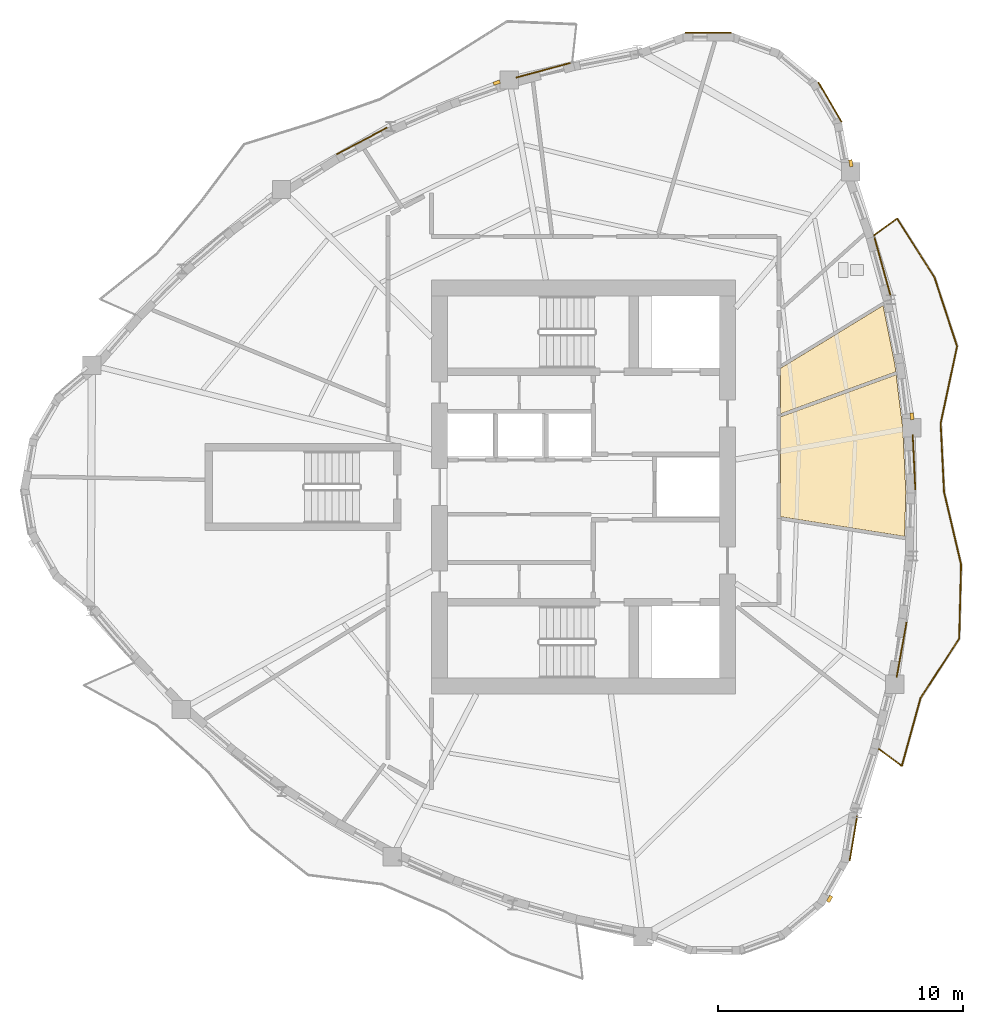
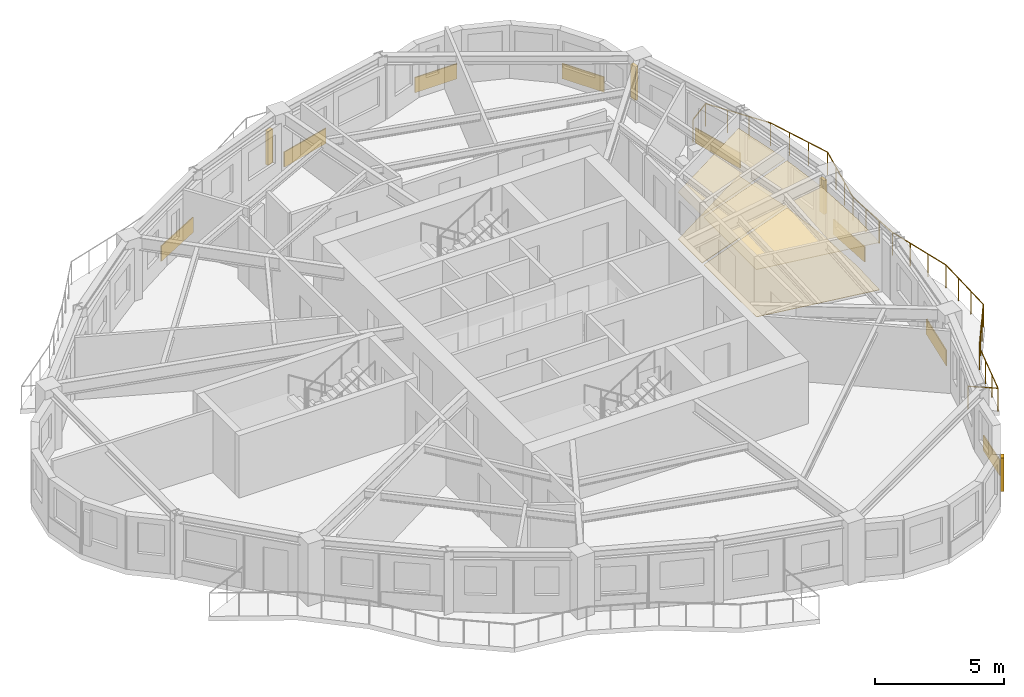
# One storey, part 11 of 12: 12 coverings, 4 shading devices, 1 railing.
"""IFC4 building model written with IfcOpenShell, lengths in metres."""

from ifc_helpers import new_model, si_unit, direction, frame, origin, origin_2d, place, context, subcontext, project, spatial, polyline, rectangle, circle, outline, extrude, source, transform, mapped, material, layer, layer_set, type_object, element, save


model = new_model("IFC4")

# Units and contexts
model_context = context("Model", 3, precision=1e-05, world=origin(), true_north=direction((0.0, 1.0)))
body_context = subcontext(model_context, "Body", "Model", "MODEL_VIEW")
ifc_project = project(units=[si_unit("LENGTHUNIT", "METRE"), si_unit("AREAUNIT", "SQUARE_METRE"), si_unit("VOLUMEUNIT", "CUBIC_METRE"), si_unit("PLANEANGLEUNIT", "RADIAN"), si_unit("MASSUNIT", "GRAM", prefix="KILO")], contexts=[model_context])

# Site, building, storey
site_placement = place(None, origin())
site = spatial("IfcSite", under=ifc_project, at=site_placement, CompositionType="ELEMENT")
building_placement = place(site_placement, origin())
building = spatial("IfcBuilding", under=site, at=building_placement, Name="Qafzar Sky-Pleat Residences", CompositionType="ELEMENT")
storey_placement = place(building_placement, frame((0.0, 0.0, 171.39990234375)))
storey = spatial("IfcBuildingStorey", under=building, at=storey_placement, Name="L51", CompositionType="ELEMENT", Elevation=171.39990234375)

# Coverings
ifc_material_1 = material(Name="Perforated acoustic gypsum board ceiling")
ifc_layer_1 = layer(ifc_material_1, 0.02001953125)
ifc_layer_set_1 = layer_set([ifc_layer_1], Name="Perforated acoustic gypsum board ceiling")
covering_type_1 = type_object("IfcCoveringType", Name="COV-CEIL-ACOUSTIC", PredefinedType="CEILING", material=ifc_layer_set_1)
covering_1_placement = place(storey_placement, frame((0.0, 0.0, 2.239990234375)))
element("IfcCovering", 1, at=covering_1_placement, inside=storey, type_object=covering_type_1, Name="L51 Co-Living Lounge Acoustic Ceiling", PredefinedType="CEILING", context=body_context, shape_type="SweptSolid", body=[
    extrude(outline(polyline([(43.374755859375, 28.387939453125), (43.498291015625, 25.801025390625), (43.44677734375, 23.98486328125), (38.389892578125, 24.786376953125), (38.389892578125, 28.863037109375), (43.103271484375, 30.578857421875), (43.374755859375, 28.387939453125)])), origin(), (0.0, 0.0, 1.0), 0.02001953125),
])
covering_2_placement = place(storey_placement, frame((0.0, 0.0, 2.239990234375)))
element("IfcCovering", 2, at=covering_2_placement, inside=storey, type_object=covering_type_1, Name="L51 Scholar Study Room Acoustic Ceiling", PredefinedType="CEILING", context=body_context, shape_type="SweptSolid", body=[
    extrude(outline(polyline([(43.054443359375, 30.973388671875), (43.088134765625, 30.701171875), (38.389892578125, 28.99072265625), (38.389892578125, 30.847412109375), (42.568359375, 33.4033203125), (43.054443359375, 30.973388671875)])), origin(), (0.0, 0.0, 1.0), 0.02001953125),
])
ifc_material_2 = material(Name="Honed porcelain and Riyadh stone tile flooring", Category="masonry")
ifc_layer_2 = layer(ifc_material_2, 0.02001953125)
ifc_layer_set_2 = layer_set([ifc_layer_2], Name="Honed porcelain and Riyadh stone tile flooring")
covering_type_2 = type_object("IfcCoveringType", Name="COV-FLR-PORCELAIN", PredefinedType="FLOORING", material=ifc_layer_set_2)
covering_3_placement = place(storey_placement, origin())
element("IfcCovering", 3, at=covering_3_placement, inside=storey, type_object=covering_type_2, Name="L51 Co-Living Lounge Honed Stone Flooring", PredefinedType="FLOORING", context=body_context, shape_type="SweptSolid", body=[
    extrude(outline(polyline([(43.374755859375, 28.387939453125), (43.498291015625, 25.801025390625), (43.44677734375, 23.98486328125), (38.389892578125, 24.786376953125), (38.389892578125, 28.863037109375), (43.103271484375, 30.578857421875), (43.374755859375, 28.387939453125)])), origin(), (0.0, 0.0, 1.0), 0.02001953125),
])
covering_4_placement = place(storey_placement, origin())
element("IfcCovering", 4, at=covering_4_placement, inside=storey, type_object=covering_type_2, Name="L51 Scholar Study Room Honed Stone Flooring", PredefinedType="FLOORING", context=body_context, shape_type="SweptSolid", body=[
    extrude(outline(polyline([(43.054443359375, 30.973388671875), (43.088134765625, 30.701171875), (38.389892578125, 28.99072265625), (38.389892578125, 30.847412109375), (42.568359375, 33.4033203125), (43.054443359375, 30.973388671875)])), origin(), (0.0, 0.0, 1.0), 0.02001953125),
])

# Shading devices
ifc_material_3 = material(Name="Honed Riyadh limestone solar fin", Category="masonry")
ifc_layer_3 = layer(ifc_material_3, 0.139892578125)
ifc_layer_set_3 = layer_set([ifc_layer_3], Name="Honed Riyadh limestone solar fin")
shading_device_type = type_object("IfcShadingDeviceType", Name="SHD-FIN-STONE", PredefinedType="SHUTTER", material=ifc_layer_set_3)
shared_shape_1 = source(origin(), body_context, "Body", "SweptSolid", [
    extrude(rectangle(XDim=0.139892578125, YDim=0.280029296875, at=origin_2d()), origin(), (0.0, 0.0, 1.0), 1.60009765625),
])
for number, where, z_axis, x_axis, name in (
    (5, (40.388916015625, 9.19091796875, 0.60009765625), (0.0, 0.0, 1.0), (0.86845497166, -0.495768052821, 0.0), "L51 Limestone Solar Fin 21"),
    (6, (43.75146484375, 28.885009765625, 0.60009765625), (0.0, 0.0, 1.0), (0.992418634541, 0.122903432891, 0.0), "L51 Limestone Solar Fin 29"),
    (7, (41.257568359375, 39.2099609375, 0.60009765625), (0.0, 0.0, 1.0), (0.983226064815, 0.182391078371, 0.0), "L51 Limestone Solar Fin 33"),
    (8, (26.802734375, 42.497314453125, 0.60009765625), (0.0, 0.0, 1.0), (-0.329581229918, 0.944127222829, 0.0), "L51 Limestone Solar Fin 41"),
):
    element("IfcShadingDevice", number, at=place(storey_placement, frame(where, z_axis=z_axis, x_axis=x_axis)), inside=storey, type_object=shading_device_type, Name=name, PredefinedType="SHUTTER", context=body_context, shape_type="MappedRepresentation", body=[
        mapped(shared_shape_1, transform((0.0, 0.0, 0.0), x_axis=(1.0, 0.0, 0.0), y_axis=(0.0, 1.0, 0.0), z_axis=(0.0, 0.0, 1.0), scale=1.0)),
    ])

# Coverings
ifc_material_4 = material(Name="Honed Riyadh Tuwaiq limestone cladding", Category="masonry")
ifc_layer_4 = layer(ifc_material_4, 0.044921875)
ifc_layer_set_4 = layer_set([ifc_layer_4], Name="Honed Riyadh Tuwaiq limestone cladding")
covering_type_3 = type_object("IfcCoveringType", Name="COV-CLAD-STONE", PredefinedType="CLADDING", material=ifc_layer_set_4)
shared_shape_2 = source(origin(), body_context, "Body", "SweptSolid", [
    extrude(rectangle(XDim=1.873046875, YDim=0.044921875, at=origin_2d()), origin(), (0.0, 0.0, 1.0), 0.719970703125),
])
for number, where, z_axis, x_axis, name in (
    (9, (40.402099609375, 41.70703125, 0.02001953125), (0.0, 0.0, 1.0), (-0.506303893958, 0.862355128101, 0.0), "L51 Riyadh Limestone Spandrel Cladding 34"),
    (10, (35.44287109375, 44.538330078125, 0.02001953125), (0.0, 0.0, 1.0), (-0.999997113828, -0.002402568631, 0.0), "L51 Riyadh Limestone Spandrel Cladding 37"),
):
    element("IfcCovering", number, at=place(storey_placement, frame(where, z_axis=z_axis, x_axis=x_axis)), inside=storey, type_object=covering_type_3, Name=name, PredefinedType="CLADDING", context=body_context, shape_type="MappedRepresentation", body=[
        mapped(shared_shape_2, transform((0.0, 0.0, 0.0), x_axis=(1.0, 0.0, 0.0), y_axis=(0.0, 1.0, 0.0), z_axis=(0.0, 0.0, 1.0), scale=1.0)),
    ])
shared_shape_3 = source(origin(), body_context, "Body", "SweptSolid", [
    extrude(rectangle(XDim=1.845703125, YDim=0.044921875, at=origin_2d()), origin(), (0.0, 0.0, 1.0), 0.719970703125),
])
covering_5_placement = place(storey_placement, frame((41.35888671875, 11.66650390625, 0.02001953125), z_axis=(0.0, 0.0, 1.0), x_axis=(0.165687701877, 0.98617827265, 0.0)))
element("IfcCovering", 11, at=covering_5_placement, inside=storey, type_object=covering_type_3, Name="L51 Riyadh Limestone Spandrel Cladding 22", PredefinedType="CLADDING", context=body_context, shape_type="MappedRepresentation", body=[
    mapped(shared_shape_3, transform((0.0, 0.0, 0.0), x_axis=(1.0, 0.0, 0.0), y_axis=(0.0, 1.0, 0.0), z_axis=(0.0, 0.0, 1.0), scale=1.0)),
])

# Railing
ifc_material_5 = material(Name="Laminated glass and bronze steel balustrade", Category="steel")
railing_type = type_object("IfcRailingType", Name="RAIL-BAL-1100", PredefinedType="BALUSTRADE", material=ifc_material_5)
shared_shape_4 = source(origin(), body_context, "Body", "SweptSolid", [
    extrude(circle(Radius=0.02392578125, at=origin_2d()), frame((0.0, 0.0, 1.076171875), z_axis=(0.802925231445, -0.596079753649, 0.0), x_axis=(0.596079753649, 0.802925231445, 0.0)), (0.0, 0.0, 1.0), 1.177978515625),
    extrude(circle(Radius=0.02392578125, at=origin_2d()), frame((0.94580078125, -0.7021484375, 1.076171875), z_axis=(0.265969828884, 0.963981353618, 0.0), x_axis=(-0.963981353618, 0.265969828884, 0.0)), (0.0, 0.0, 1.0), 2.8740234375),
    extrude(circle(Radius=0.02392578125, at=origin_2d()), frame((1.710205078125, 2.068359375, 1.076171875), z_axis=(0.544697870849, 0.838632356574, 0.0), x_axis=(-0.838632356574, 0.544697870849, 0.0)), (0.0, 0.0, 1.0), 2.8955078125),
    extrude(circle(Radius=0.02392578125, at=origin_2d()), frame((3.287353515625, 4.49658203125, 1.076171875), z_axis=(0.025504376596, 0.999674710481, 0.0), x_axis=(-0.999674710481, 0.025504376596, 0.0)), (0.0, 0.0, 1.0), 3.02490234375),
    extrude(circle(Radius=0.02392578125, at=origin_2d()), frame((3.364501953125, 7.5205078125, 1.076171875), z_axis=(-0.229344537844, 0.9733453051, 0.0), x_axis=(-0.9733453051, -0.229344537844, 0.0)), (0.0, 0.0, 1.0), 3.03173828125),
    extrude(circle(Radius=0.02392578125, at=origin_2d()), frame((2.669189453125, 10.471435546875, 1.076171875), z_axis=(-0.049197584938, 0.998789065637, 0.0), x_axis=(-0.998789065637, -0.049197584938, 0.0)), (0.0, 0.0, 1.0), 2.813720703125),
    extrude(circle(Radius=0.02392578125, at=origin_2d()), frame((2.53076171875, 13.28173828125, 1.076171875), z_axis=(0.208687917965, 0.977982286596, 0.0), x_axis=(-0.977982286596, 0.208687917965, 0.0)), (0.0, 0.0, 1.0), 3.21142578125),
    extrude(circle(Radius=0.02392578125, at=origin_2d()), frame((3.200927734375, 16.42236328125, 1.076171875), z_axis=(-0.311619076428, 0.950207109638, 0.0), x_axis=(-0.950207109638, -0.311619076428, 0.0)), (0.0, 0.0, 1.0), 2.958251953125),
    extrude(circle(Radius=0.02392578125, at=origin_2d()), frame((2.279052734375, 19.2333984375, 1.076171875), z_axis=(-0.537242125182, 0.843428063874, 0.0), x_axis=(-0.843428063874, -0.537242125182, 0.0)), (0.0, 0.0, 1.0), 2.843505859375),
    extrude(circle(Radius=0.02392578125, at=origin_2d()), frame((0.75146484375, 21.631591796875, 1.076171875), z_axis=(-0.810274660649, -0.586050317216, 0.0), x_axis=(0.586050317216, -0.810274660649, 0.0)), (0.0, 0.0, 1.0), 1.17822265625),
    extrude(circle(Radius=0.02099609375, at=origin_2d()), origin(), (0.0, 0.0, 1.0), 1.052001953125),
    extrude(circle(Radius=0.02099609375, at=origin_2d()), frame((0.94580078125, -0.7021484375, 0.0)), (0.0, 0.0, 1.0), 1.052001953125),
    extrude(circle(Radius=0.02099609375, at=origin_2d()), frame((1.20068359375, 0.221435546875, 0.0)), (0.0, 0.0, 1.0), 1.052001953125),
    extrude(circle(Radius=0.02099609375, at=origin_2d()), frame((1.455322265625, 1.144775390625, 0.0)), (0.0, 0.0, 1.0), 1.052001953125),
    extrude(circle(Radius=0.02099609375, at=origin_2d()), frame((1.710205078125, 2.068359375, 0.0)), (0.0, 0.0, 1.0), 1.052001953125),
    extrude(circle(Radius=0.02099609375, at=origin_2d()), frame((2.23583984375, 2.877685546875, 0.0)), (0.0, 0.0, 1.0), 1.052001953125),
    extrude(circle(Radius=0.02099609375, at=origin_2d()), frame((2.76171875, 3.687255859375, 0.0)), (0.0, 0.0, 1.0), 1.052001953125),
    extrude(circle(Radius=0.02099609375, at=origin_2d()), frame((3.287353515625, 4.49658203125, 0.0)), (0.0, 0.0, 1.0), 1.052001953125),
    extrude(circle(Radius=0.02099609375, at=origin_2d()), frame((3.31298828125, 5.504638671875, 0.0)), (0.0, 0.0, 1.0), 1.052001953125),
    extrude(circle(Radius=0.02099609375, at=origin_2d()), frame((3.3388671875, 6.512451171875, 0.0)), (0.0, 0.0, 1.0), 1.052001953125),
    extrude(circle(Radius=0.02099609375, at=origin_2d()), frame((3.364501953125, 7.5205078125, 0.0)), (0.0, 0.0, 1.0), 1.052001953125),
    extrude(circle(Radius=0.02099609375, at=origin_2d()), frame((3.1328125, 8.504150390625, 0.0)), (0.0, 0.0, 1.0), 1.052001953125),
    extrude(circle(Radius=0.02099609375, at=origin_2d()), frame((2.90087890625, 9.48779296875, 0.0)), (0.0, 0.0, 1.0), 1.052001953125),
    extrude(circle(Radius=0.02099609375, at=origin_2d()), frame((2.669189453125, 10.471435546875, 0.0)), (0.0, 0.0, 1.0), 1.052001953125),
    extrude(circle(Radius=0.02099609375, at=origin_2d()), frame((2.623046875, 11.408203125, 0.0)), (0.0, 0.0, 1.0), 1.052001953125),
    extrude(circle(Radius=0.02099609375, at=origin_2d()), frame((2.576904296875, 12.344970703125, 0.0)), (0.0, 0.0, 1.0), 1.052001953125),
    extrude(circle(Radius=0.02099609375, at=origin_2d()), frame((2.53076171875, 13.28173828125, 0.0)), (0.0, 0.0, 1.0), 1.052001953125),
    extrude(circle(Radius=0.02099609375, at=origin_2d()), frame((2.754150390625, 14.32861328125, 0.0)), (0.0, 0.0, 1.0), 1.052001953125),
    extrude(circle(Radius=0.02099609375, at=origin_2d()), frame((2.9775390625, 15.37548828125, 0.0)), (0.0, 0.0, 1.0), 1.052001953125),
    extrude(circle(Radius=0.02099609375, at=origin_2d()), frame((3.200927734375, 16.42236328125, 0.0)), (0.0, 0.0, 1.0), 1.052001953125),
    extrude(circle(Radius=0.02099609375, at=origin_2d()), frame((2.8935546875, 17.359375, 0.0)), (0.0, 0.0, 1.0), 1.052001953125),
    extrude(circle(Radius=0.02099609375, at=origin_2d()), frame((2.58642578125, 18.29638671875, 0.0)), (0.0, 0.0, 1.0), 1.052001953125),
    extrude(circle(Radius=0.02099609375, at=origin_2d()), frame((2.279052734375, 19.2333984375, 0.0)), (0.0, 0.0, 1.0), 1.052001953125),
    extrude(circle(Radius=0.02099609375, at=origin_2d()), frame((1.769775390625, 20.03271484375, 0.0)), (0.0, 0.0, 1.0), 1.052001953125),
    extrude(circle(Radius=0.02099609375, at=origin_2d()), frame((1.2607421875, 20.832275390625, 0.0)), (0.0, 0.0, 1.0), 1.052001953125),
    extrude(circle(Radius=0.02099609375, at=origin_2d()), frame((0.75146484375, 21.631591796875, 0.0)), (0.0, 0.0, 1.0), 1.052001953125),
    extrude(circle(Radius=0.02099609375, at=origin_2d()), frame((-0.203125, 20.941162109375, 0.0)), (0.0, 0.0, 1.0), 1.052001953125),
])
railing_placement = place(storey_placement, frame((42.38916015625, 15.318603515625, 0.0)))
element("IfcRailing", 12, at=railing_placement, inside=storey, type_object=railing_type, Name="L51 Pleated Balcony 1 Balustrade", PredefinedType="BALUSTRADE", context=body_context, shape_type="MappedRepresentation", body=[
    mapped(shared_shape_4, transform((0.0, 0.0, 0.0), x_axis=(1.0, 0.0, 0.0), y_axis=(0.0, 1.0, 0.0), z_axis=(0.0, 0.0, 1.0), scale=1.0)),
])

# Coverings
shared_shape_5 = source(origin(), body_context, "Body", "SweptSolid", [
    extrude(rectangle(XDim=2.2822265625, YDim=0.044921875, at=origin_2d()), origin(), (0.0, 0.0, 1.0), 0.719970703125),
])
covering_6_placement = place(storey_placement, frame((43.325439453125, 19.354736328125, 0.02001953125), z_axis=(0.0, 0.0, 1.0), x_axis=(0.177104868754, 0.98419198608, 0.0)))
element("IfcCovering", 13, at=covering_6_placement, inside=storey, type_object=covering_type_3, Name="L51 Riyadh Limestone Spandrel Cladding 25", PredefinedType="CLADDING", context=body_context, shape_type="MappedRepresentation", body=[
    mapped(shared_shape_5, transform((0.0, 0.0, 0.0), x_axis=(1.0, 0.0, 0.0), y_axis=(0.0, 1.0, 0.0), z_axis=(0.0, 0.0, 1.0), scale=1.0)),
])
shared_shape_6 = source(origin(), body_context, "Body", "SweptSolid", [
    extrude(rectangle(XDim=2.24169921875, YDim=0.044921875, at=origin_2d()), origin(), (0.0, 0.0, 1.0), 0.719970703125),
])
covering_7_placement = place(storey_placement, frame((43.832763671875, 27.01171875, 0.02001953125), z_axis=(0.0, 0.0, 1.0), x_axis=(-0.047692942752, 0.998862044134, 0.0)))
element("IfcCovering", 14, at=covering_7_placement, inside=storey, type_object=covering_type_3, Name="L51 Riyadh Limestone Spandrel Cladding 28", PredefinedType="CLADDING", context=body_context, shape_type="MappedRepresentation", body=[
    mapped(shared_shape_6, transform((0.0, 0.0, 0.0), x_axis=(1.0, 0.0, 0.0), y_axis=(0.0, 1.0, 0.0), z_axis=(0.0, 0.0, 1.0), scale=1.0)),
])
shared_shape_7 = source(origin(), body_context, "Body", "SweptSolid", [
    extrude(rectangle(XDim=2.452392578125, YDim=0.044921875, at=origin_2d()), origin(), (0.0, 0.0, 1.0), 0.719970703125),
])
covering_8_placement = place(storey_placement, frame((42.550537109375, 34.98193359375, 0.02001953125), z_axis=(0.0, 0.0, 1.0), x_axis=(-0.266422857024, 0.963856245119, 0.0)))
element("IfcCovering", 15, at=covering_8_placement, inside=storey, type_object=covering_type_3, Name="L51 Riyadh Limestone Spandrel Cladding 31", PredefinedType="CLADDING", context=body_context, shape_type="MappedRepresentation", body=[
    mapped(shared_shape_7, transform((0.0, 0.0, 0.0), x_axis=(1.0, 0.0, 0.0), y_axis=(0.0, 1.0, 0.0), z_axis=(0.0, 0.0, 1.0), scale=1.0)),
])
shared_shape_8 = source(origin(), body_context, "Body", "SweptSolid", [
    extrude(rectangle(XDim=2.281005859375, YDim=0.044921875, at=origin_2d()), origin(), (0.0, 0.0, 1.0), 0.719970703125),
])
covering_9_placement = place(storey_placement, frame((28.697021484375, 43.00341796875, 0.02001953125), z_axis=(0.0, 0.0, 1.0), x_axis=(-0.965452512794, -0.260579058139, 0.0)))
element("IfcCovering", 16, at=covering_9_placement, inside=storey, type_object=covering_type_3, Name="L51 Riyadh Limestone Spandrel Cladding 40", PredefinedType="CLADDING", context=body_context, shape_type="MappedRepresentation", body=[
    mapped(shared_shape_8, transform((0.0, 0.0, 0.0), x_axis=(1.0, 0.0, 0.0), y_axis=(0.0, 1.0, 0.0), z_axis=(0.0, 0.0, 1.0), scale=1.0)),
])
shared_shape_9 = source(origin(), body_context, "Body", "SweptSolid", [
    extrude(rectangle(XDim=2.33251953125, YDim=0.044921875, at=origin_2d()), origin(), (0.0, 0.0, 1.0), 0.719970703125),
])
covering_10_placement = place(storey_placement, frame((21.300537109375, 40.119384765625, 0.02001953125), z_axis=(0.0, 0.0, 1.0), x_axis=(-0.88438784981, -0.466752751582, 0.0)))
element("IfcCovering", 17, at=covering_10_placement, inside=storey, type_object=covering_type_3, Name="L51 Riyadh Limestone Spandrel Cladding 43", PredefinedType="CLADDING", context=body_context, shape_type="MappedRepresentation", body=[
    mapped(shared_shape_9, transform((0.0, 0.0, 0.0), x_axis=(1.0, 0.0, 0.0), y_axis=(0.0, 1.0, 0.0), z_axis=(0.0, 0.0, 1.0), scale=1.0)),
])

save(model, "model.ifc")
